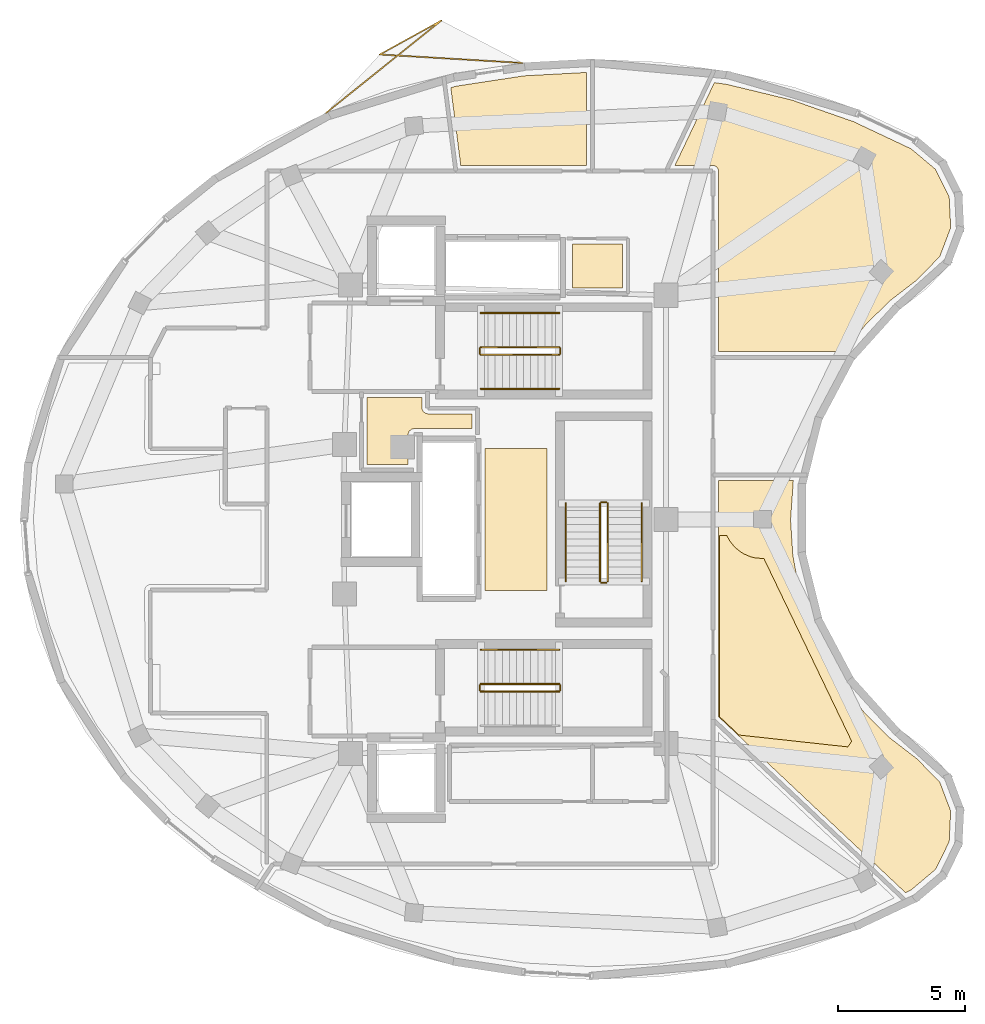
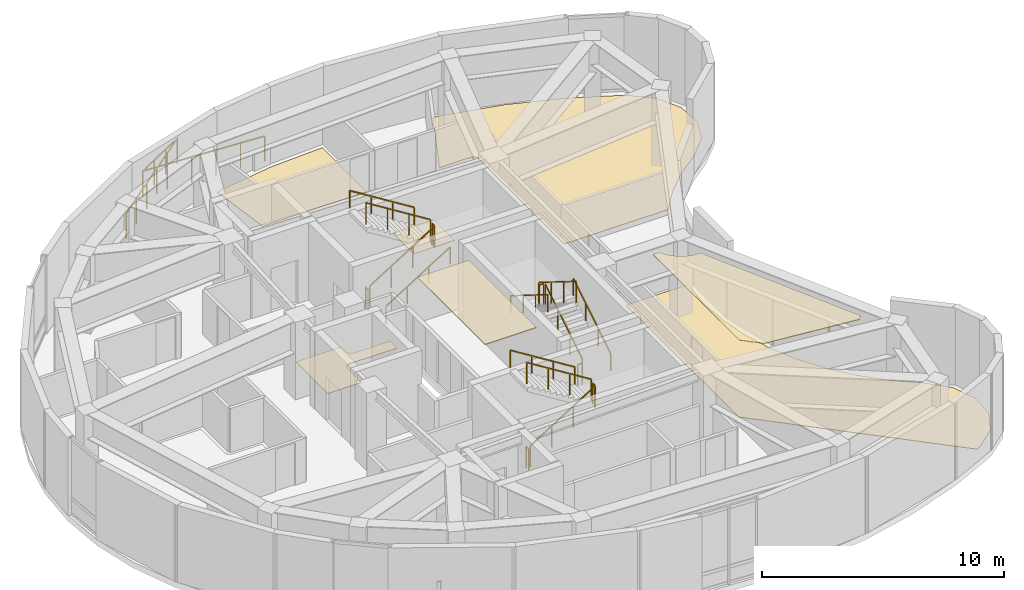
# One storey, part 8 of 8: 18 railings, 7 coverings.
"""IFC4 building model written with IfcOpenShell, lengths in metres."""

import ifcopenshell
import ifcopenshell.guid

model = None  # the IFC model being written
_history = None  # IfcOwnerHistory: only IFC2X3 demands one
_inside = {}  # id of a spatial element -> (the spatial element, [elements in it])
_under = {}  # id of a project, library or spatial element -> (it, [spatial elements below it])
_declared = {}  # id of a project -> (the project, [libraries it declares])
_typed = {}  # id of a type object -> (the type object, [elements of that type])
_made_of = {}  # id of a material, layer set ... -> (it, [elements and type objects made of it])


def new_model(schema):
    """Start an empty IFC model of exactly this schema.

    Asked for "IFC4X3", IfcOpenShell would pick the latest addendum, in which some entities
    have other attributes; the version numbers below select the first issue.
    IFC2X3 requires an IfcOwnerHistory on every rooted entity: one is made here for all.
    """
    global model, _history
    if schema == "IFC4X3":
        model = ifcopenshell.file(schema_version=(4, 3, 0, 0))
    else:
        model = ifcopenshell.file(schema=schema)
    _inside.clear()
    _under.clear()
    _declared.clear()
    _typed.clear()
    _made_of.clear()
    _history = None
    if model.schema == "IFC2X3":
        org = make("IfcOrganization", Name="unknown")
        user = make(
            "IfcPersonAndOrganization",
            ThePerson=make("IfcPerson", FamilyName="unknown"),
            TheOrganization=org,
        )
        app = make(
            "IfcApplication",
            ApplicationDeveloper=org,
            Version="unknown",
            ApplicationFullName="unknown",
            ApplicationIdentifier="unknown",
        )
        _history = make(
            "IfcOwnerHistory",
            OwningUser=user,
            OwningApplication=app,
            ChangeAction="ADDED",
            CreationDate=0,
        )
    return model


def make(cls, **values):
    """One entity of the class cls with the attributes given. An attribute that is None is left unset."""
    return model.create_entity(
        cls, **{name: value for name, value in values.items() if value is not None}
    )


def rooted(cls, **values):
    """An entity with a GlobalId (a new one), such as an element, a storey or a relation."""
    return make(cls, GlobalId=ifcopenshell.guid.new(), OwnerHistory=_history, **values)


def si_unit(unit_type, name, prefix=None):
    """IfcSIUnit, for example si_unit("LENGTHUNIT", "METRE", prefix="MILLI")."""
    return make("IfcSIUnit", UnitType=unit_type, Prefix=prefix, Name=name)


def assignment(units):
    """IfcUnitAssignment: the units of a project."""
    return None if units is None else make("IfcUnitAssignment", Units=units)


def point(xyz):
    """IfcCartesianPoint."""
    return None if xyz is None else make("IfcCartesianPoint", Coordinates=xyz)


def direction(xyz):
    """IfcDirection."""
    return None if xyz is None else make("IfcDirection", DirectionRatios=xyz)


def frame(location, z_axis=None, x_axis=None):
    """IfcAxis2Placement3D, a coordinate frame: its origin and axes. An axis left out is left unset."""
    return make(
        "IfcAxis2Placement3D",
        Location=point(location),
        Axis=direction(z_axis),
        RefDirection=direction(x_axis),
    )


def frame_2d(location, x_axis=None):
    """IfcAxis2Placement2D, a coordinate frame in the plane: its origin and x axis."""
    return make(
        "IfcAxis2Placement2D", Location=point(location), RefDirection=direction(x_axis)
    )


def origin():
    """The frame at (0, 0, 0) with its axes left unset."""
    return frame((0.0, 0.0, 0.0))


def origin_2d():
    """The frame at (0, 0) in the plane with its x axis left unset."""
    return frame_2d((0.0, 0.0))


def place(relative_to, where):
    """IfcLocalPlacement: puts the frame where relative to a parent placement (None: the world)."""
    return make(
        "IfcLocalPlacement", PlacementRelTo=relative_to, RelativePlacement=where
    )


def context(
    kind, dimensions, precision=None, world=None, true_north=None, identifier=None
):
    """IfcGeometricRepresentationContext, for example the 3D "Model" context."""
    return make(
        "IfcGeometricRepresentationContext",
        ContextIdentifier=identifier,
        ContextType=kind,
        CoordinateSpaceDimension=dimensions,
        Precision=precision,
        WorldCoordinateSystem=world,
        TrueNorth=true_north,
    )


def subcontext(parent, identifier, kind, view, scale=None):
    """IfcGeometricRepresentationSubContext, for example "Body" below "Model"."""
    return make(
        "IfcGeometricRepresentationSubContext",
        ContextIdentifier=identifier,
        ContextType=kind,
        ParentContext=parent,
        TargetScale=scale,
        TargetView=view,
    )


def project(units=None, contexts=None):
    """IfcProject with its units and contexts."""
    return rooted(
        "IfcProject",
        Name="project",
        RepresentationContexts=contexts,
        UnitsInContext=assignment(units),
    )


def spatial(cls, under=None, at=None, **own):
    """A site, building, storey or space (cls), placed at a placement, below another one or the project."""
    s = rooted(cls, ObjectPlacement=at, **own)
    if under is not None:
        _under.setdefault(under.id(), (under, []))[1].append(s)
    return s


def polyline(points):
    """IfcPolyline through the points."""
    return make("IfcPolyline", Points=[point(p) for p in points])


def profile(cls, at=None, kind="AREA", **sizes):
    """A parametric profile (cls). Its sizes go by their IFC names, for example OverallWidth=200.0."""
    return make(cls, ProfileType=kind, Position=at, **sizes)


def rectangle(**sizes):
    """IfcRectangleProfileDef."""
    return profile("IfcRectangleProfileDef", **sizes)


def outline(outer, holes=None, kind="AREA"):
    """IfcArbitraryClosedProfileDef: a profile drawn as a closed curve; with holes, ...WithVoids."""
    if holes is None:
        return make("IfcArbitraryClosedProfileDef", ProfileType=kind, OuterCurve=outer)
    return make(
        "IfcArbitraryProfileDefWithVoids",
        ProfileType=kind,
        OuterCurve=outer,
        InnerCurves=holes,
    )


def extrude(swept, where, along, depth):
    """IfcExtrudedAreaSolid: the profile swept, set in the frame where, extruded along a direction by depth."""
    return make(
        "IfcExtrudedAreaSolid",
        SweptArea=swept,
        Position=where,
        ExtrudedDirection=direction(along),
        Depth=depth,
    )


def shape(context_of_items, identifier, shape_type, items):
    """IfcShapeRepresentation: the items that make up one representation, for example the "Body"."""
    return make(
        "IfcShapeRepresentation",
        ContextOfItems=context_of_items,
        RepresentationIdentifier=identifier,
        RepresentationType=shape_type,
        Items=items,
    )


def material(Name=None, Category=None):
    """IfcMaterial."""
    return make("IfcMaterial", Name=Name, Category=Category)


def layer(
    of_material, thickness, ventilated=None, Name=None, Category=None, Priority=None
):
    """IfcMaterialLayer: one layer of a wall or slab, of a material (None: an air gap)."""
    return make(
        "IfcMaterialLayer",
        Material=of_material,
        LayerThickness=thickness,
        IsVentilated=ventilated,
        Name=Name,
        Category=Category,
        Priority=Priority,
    )


def layer_set(layers, Name=None):
    """IfcMaterialLayerSet."""
    return make("IfcMaterialLayerSet", MaterialLayers=layers, LayerSetName=Name)


def made_of(thing, what):
    """Note that an element or type object is made of a material, layer set ...; save() writes the relation."""
    if what is not None:
        _made_of.setdefault(what.id(), (what, []))[1].append(thing)
    return thing


def type_object(cls, material=None, **own):
    """A type object (cls), such as IfcWallType, which elements share."""
    return made_of(rooted(cls, **own), material)


def element(
    cls,
    number,
    at=None,
    inside=None,
    cuts=None,
    type_object=None,
    material=None,
    context=None,
    identifier="Body",
    shape_type=None,
    held_by="IfcProductDefinitionShape",
    body=None,
    shapes=None,
    **own,
):
    """One element of the class cls, such as IfcWall. Its Tag is "e" and its number.

    at: its placement. inside: the storey or other place that contains it. cuts: it is an
    opening in that element (IfcRelVoidsElement). A single representation is given by context,
    identifier, shape_type and body (its items); several are given by shapes. held_by: the class
    of the entity that holds the representations. save() writes the other relations.
    """
    e = rooted(cls, Tag="e%d" % number, ObjectPlacement=at, **own)
    if body is not None:
        shapes = [shape(context, identifier, shape_type, body)]
    if shapes is not None:
        e.Representation = make(held_by, Representations=shapes)
    if inside is not None:
        _inside.setdefault(inside.id(), (inside, []))[1].append(e)
    if cuts is not None:
        rooted(
            "IfcRelVoidsElement", RelatingBuildingElement=cuts, RelatedOpeningElement=e
        )
    if type_object is not None:
        _typed.setdefault(type_object.id(), (type_object, []))[1].append(e)
    return made_of(e, material)


def aggregate(whole, parts):
    """IfcRelAggregates: a whole, such as a stair, and the parts it consists of."""
    return rooted("IfcRelAggregates", RelatingObject=whole, RelatedObjects=parts)


def save(model, path):
    """Write the relations noted so far, then the file.

    IfcRelAggregates (storeys below a building ...), IfcRelContainedInSpatialStructure (elements
    in a storey), IfcRelDefinesByType, IfcRelAssociatesMaterial and IfcRelDeclares: one each for
    every whole, place, type object, material and project.
    """
    for whole, parts in _under.values():
        aggregate(whole, parts)
    for where, things in _inside.values():
        rooted(
            "IfcRelContainedInSpatialStructure",
            RelatedElements=things,
            RelatingStructure=where,
        )
    for kind, things in _typed.values():
        rooted("IfcRelDefinesByType", RelatedObjects=things, RelatingType=kind)
    for what, things in _made_of.values():
        rooted("IfcRelAssociatesMaterial", RelatedObjects=things, RelatingMaterial=what)
    for by, libraries in _declared.values():
        rooted("IfcRelDeclares", RelatingContext=by, RelatedDefinitions=libraries)
    model.write(path)


model = new_model("IFC4")

# Units and contexts
model_context = context("Model", 3, precision=1e-05, world=origin(), true_north=direction((0.0, 1.0)))
body_context = subcontext(model_context, "Body", "Model", "MODEL_VIEW")
ifc_project = project(units=[si_unit("LENGTHUNIT", "METRE"), si_unit("AREAUNIT", "SQUARE_METRE"), si_unit("VOLUMEUNIT", "CUBIC_METRE"), si_unit("PLANEANGLEUNIT", "RADIAN"), si_unit("MASSUNIT", "GRAM", prefix="KILO")], contexts=[model_context])

# Site, building, storey
site_placement = place(None, origin())
site = spatial("IfcSite", under=ifc_project, at=site_placement, CompositionType="ELEMENT")
building_placement = place(site_placement, origin())
building = spatial("IfcBuilding", under=site, at=building_placement, Name="Korentha Bioscience Tower", CompositionType="ELEMENT")
storey_placement = place(building_placement, frame((0.0, 0.0, 314.39990234375)))
storey = spatial("IfcBuildingStorey", under=building, at=storey_placement, Name="L72", CompositionType="ELEMENT", Elevation=314.39990234375)

# Covering
ifc_material_1 = material(Name="Vitrified Porcelain Tile", Category="ceramic")
ifc_layer_1 = layer(ifc_material_1, 0.014892578125, Name="Vitrified Porcelain Tile")
ifc_layer_set_1 = layer_set([ifc_layer_1], Name="Vitrified Porcelain Tile (FL-CER)")
covering_type_1 = type_object("IfcCoveringType", Name="Anti-Slip Ceramic Wet-Room Tile Flooring 15", PredefinedType="FLOORING", material=ifc_layer_set_1)
covering_1_placement = place(storey_placement, origin())
element("IfcCovering", 1, at=covering_1_placement, inside=storey, type_object=covering_type_1, Name="L72 Accessible Staff WC Floor Finish", PredefinedType="FLOORING", context=body_context, shape_type="SweptSolid", body=[
    extrude(outline(polyline([(33.8701171875, 36.1298828125), (33.8701171875, 37.8701171875), (35.830078125, 37.8701171875), (35.830078125, 36.1298828125), (33.8701171875, 36.1298828125)])), origin(), (0.0, 0.0, 1.0), 0.01513671875),
])

# Railings
ifc_material_2 = material(Name="Stainless Steel 304", Category="steel")
railing_type_1 = type_object("IfcRailingType", Name="Brushed Stainless Stair Handrail 900", PredefinedType="HANDRAIL", material=ifc_material_2)
railing_1_placement = place(storey_placement, frame((30.25, 32.14990234375, 0.175048828125)))
element("IfcRailing", 2, at=railing_1_placement, inside=storey, type_object=railing_type_1, Name="L72 ST-1 stair handrail 1", PredefinedType="HANDRAIL", context=body_context, shape_type="SweptSolid", body=[
    extrude(rectangle(XDim=0.048095703125, YDim=0.048095703125, at=origin_2d()), frame((0.0, 0.0, 0.8759765625), z_axis=(0.847998304005, 0.0, 0.529998940003), x_axis=(0.0, 1.0, 0.0)), (0.0, 0.0, 1.0), 3.632080078125),
    extrude(rectangle(XDim=0.0419921875, YDim=0.0419921875, at=origin_2d()), origin(), (0.0, 0.0, 1.0), 0.851806640625),
    extrude(rectangle(XDim=0.0419921875, YDim=0.0419921875, at=origin_2d()), frame((1.026611328125, 0.0, 0.6416015625)), (0.0, 0.0, 1.0), 0.851806640625),
    extrude(rectangle(XDim=0.0419921875, YDim=0.0419921875, at=origin_2d()), frame((2.053466796875, 0.0, 1.283447265625)), (0.0, 0.0, 1.0), 0.851806640625),
    extrude(rectangle(XDim=0.0419921875, YDim=0.0419921875, at=origin_2d()), frame((3.080078125, 0.0, 1.925048828125)), (0.0, 0.0, 1.0), 0.851806640625),
])
for number, where, name in (
    (3, (33.330078125, 35.14990234375, 2.275146484375), "L72 ST-1 stair handrail 2"),
    (4, (33.330078125, 21.85009765625, 2.275146484375), "L72 ST-2 stair handrail 2"),
):
    element("IfcRailing", number, at=place(storey_placement, frame(where)), inside=storey, type_object=railing_type_1, Name=name, PredefinedType="HANDRAIL", context=body_context, shape_type="SweptSolid", body=[
        extrude(rectangle(XDim=0.048095703125, YDim=0.048095703125, at=origin_2d()), frame((0.0, 0.0, 0.8759765625), z_axis=(-0.847998304005, 0.0, 0.529998940003), x_axis=(0.0, -1.0, 0.0)), (0.0, 0.0, 1.0), 3.632080078125),
        extrude(rectangle(XDim=0.0419921875, YDim=0.0419921875, at=origin_2d()), origin(), (0.0, 0.0, 1.0), 0.851806640625),
        extrude(rectangle(XDim=0.0419921875, YDim=0.0419921875, at=origin_2d()), frame((-1.026611328125, 0.0, 0.6416015625)), (0.0, 0.0, 1.0), 0.851806640625),
        extrude(rectangle(XDim=0.0419921875, YDim=0.0419921875, at=origin_2d()), frame((-2.053466796875, 0.0, 1.283447265625)), (0.0, 0.0, 1.0), 0.851806640625),
        extrude(rectangle(XDim=0.0419921875, YDim=0.0419921875, at=origin_2d()), frame((-3.080078125, 0.0, 1.925048828125)), (0.0, 0.0, 1.0), 0.851806640625),
    ])
railing_2_placement = place(storey_placement, frame((36.60009765625, 24.550048828125, 0.175048828125)))
element("IfcRailing", 5, at=railing_2_placement, inside=storey, type_object=railing_type_1, Name="L72 ST-3 stair handrail 1", PredefinedType="HANDRAIL", context=body_context, shape_type="SweptSolid", body=[
    extrude(rectangle(XDim=0.048095703125, YDim=0.048095703125, at=origin_2d()), frame((0.0, 0.0, 0.8759765625), z_axis=(0.0, 0.847979421464, 0.530029150871), x_axis=(-1.0, 0.0, 0.0)), (0.0, 0.0, 1.0), 3.632080078125),
    extrude(rectangle(XDim=0.0419921875, YDim=0.0419921875, at=origin_2d()), origin(), (0.0, 0.0, 1.0), 0.851806640625),
    extrude(rectangle(XDim=0.0419921875, YDim=0.0419921875, at=origin_2d()), frame((0.0, 1.026611328125, 0.6416015625)), (0.0, 0.0, 1.0), 0.851806640625),
    extrude(rectangle(XDim=0.0419921875, YDim=0.0419921875, at=origin_2d()), frame((0.0, 2.05322265625, 1.283447265625)), (0.0, 0.0, 1.0), 0.851806640625),
    extrude(rectangle(XDim=0.0419921875, YDim=0.0419921875, at=origin_2d()), frame((0.0, 3.079833984375, 1.925048828125)), (0.0, 0.0, 1.0), 0.851806640625),
])
railing_3_placement = place(storey_placement, frame((33.60009765625, 27.6298828125, 2.275146484375)))
element("IfcRailing", 6, at=railing_3_placement, inside=storey, type_object=railing_type_1, Name="L72 ST-3 stair handrail 2", PredefinedType="HANDRAIL", context=body_context, shape_type="SweptSolid", body=[
    extrude(rectangle(XDim=0.048095703125, YDim=0.048095703125, at=origin_2d()), frame((0.0, 0.0, 0.8759765625), z_axis=(0.0, -0.847979421464, 0.530029150871), x_axis=(1.0, 0.0, 0.0)), (0.0, 0.0, 1.0), 3.632080078125),
    extrude(rectangle(XDim=0.0419921875, YDim=0.0419921875, at=origin_2d()), origin(), (0.0, 0.0, 1.0), 0.851806640625),
    extrude(rectangle(XDim=0.0419921875, YDim=0.0419921875, at=origin_2d()), frame((0.0, -1.026611328125, 0.6416015625)), (0.0, 0.0, 1.0), 0.851806640625),
    extrude(rectangle(XDim=0.0419921875, YDim=0.0419921875, at=origin_2d()), frame((0.0, -2.05322265625, 1.283447265625)), (0.0, 0.0, 1.0), 0.851806640625),
    extrude(rectangle(XDim=0.0419921875, YDim=0.0419921875, at=origin_2d()), frame((0.0, -3.079833984375, 1.925048828125)), (0.0, 0.0, 1.0), 0.851806640625),
])

# Coverings
ifc_material_3 = material(Name="Honed Travertine Limestone", Category="masonry")
ifc_layer_2 = layer(ifc_material_3, 0.02490234375, Name="Honed Travertine Limestone")
ifc_layer_set_2 = layer_set([ifc_layer_2], Name="Honed Travertine Limestone (FL-STN)")
covering_type_2 = type_object("IfcCoveringType", Name="Honed Travertine Lobby Stone Flooring 25", PredefinedType="FLOORING", material=ifc_layer_set_2)
covering_2_placement = place(storey_placement, origin())
element("IfcCovering", 7, at=covering_2_placement, inside=storey, type_object=covering_type_2, Name="L72 Sky Horizon Tasting Cafe & Bistro 05 Floor Finish", PredefinedType="FLOORING", context=body_context, shape_type="SweptSolid", body=[
    extrude(outline(polyline([(42.58154296875, 28.528076171875), (42.473388671875, 26.982421875), (42.56298828125, 25.572509765625), (42.809326171875, 24.2451171875), (43.2236328125, 22.923095703125), (43.801513671875, 21.6455078125), (44.535400390625, 20.442138671875), (45.427978515625, 19.320068359375), (46.401123046875, 18.364013671875), (47.468994140625, 17.541259765625), (48.3662109375, 16.619873046875), (48.796142578125, 15.481689453125), (48.736083984375, 14.266845703125), (48.19580078125, 13.177001953125), (47.23486328125, 12.36767578125), (47.009033203125, 12.260986328125), (39.63671875, 19.197265625), (39.630126953125, 28.528076171875), (42.58154296875, 28.528076171875)])), origin(), (0.0, 0.0, 1.0), 0.025146484375),
])
covering_3_placement = place(storey_placement, origin())
element("IfcCovering", 8, at=covering_3_placement, inside=storey, type_object=covering_type_2, Name="L72 VIP Horizon Reception Suite 07 Floor Finish", PredefinedType="FLOORING", context=body_context, shape_type="SweptSolid", body=[
    extrude(outline(polyline([(39.9462890625, 44.180419921875), (42.5126953125, 43.56201171875), (44.9658203125, 42.702880859375), (47.234619140625, 41.63232421875), (48.19580078125, 40.8232421875), (48.736083984375, 39.7333984375), (48.79638671875, 38.518310546875), (48.3662109375, 37.38037109375), (47.469482421875, 36.458984375), (46.40087890625, 35.635986328125), (45.4375, 34.68994140625), (44.587890625, 33.6279296875), (39.6298828125, 33.6279296875), (39.623291015625, 40.805419921875), (39.55419921875, 40.920654296875), (39.433349609375, 40.9775390625), (37.908447265625, 40.97998046875), (39.46337890625, 44.247802734375), (39.9462890625, 44.180419921875)])), origin(), (0.0, 0.0, 1.0), 0.025146484375),
])
covering_4_placement = place(storey_placement, origin())
element("IfcCovering", 9, at=covering_4_placement, inside=storey, type_object=covering_type_2, Name="L72 Observatory Souvenir & Audio-Guide Desk 09 Floor Finish", PredefinedType="FLOORING", context=body_context, shape_type="SweptSolid", body=[
    extrude(outline(polyline([(34.422119140625, 44.64990234375), (34.422119140625, 40.97998046875), (29.4482421875, 40.97998046875), (29.05615234375, 44.049072265625), (29.3134765625, 44.114501953125), (31.947998046875, 44.515380859375), (34.422119140625, 44.64990234375)])), origin(), (0.0, 0.0, 1.0), 0.025146484375),
])
covering_5_placement = place(storey_placement, origin())
element("IfcCovering", 10, at=covering_5_placement, inside=storey, type_object=covering_type_2, Name="L72 Public Panoramic Observation Deck Gallery 11 Floor Finish", PredefinedType="FLOORING", context=body_context, shape_type="SweptSolid", body=[
    extrude(outline(polyline([(25.75, 31.820068359375), (27.919921875, 31.820068359375), (27.9267578125, 31.344482421875), (27.979248046875, 31.245849609375), (28.072998046875, 31.183349609375), (28.14990234375, 31.169921875), (29.889892578125, 31.169921875), (29.889892578125, 30.580078125), (27.60009765625, 30.580078125), (27.52294921875, 30.566650390625), (27.41552734375, 30.4873046875), (27.372314453125, 30.38330078125), (27.3701171875, 29.169921875), (25.75, 29.169921875), (25.75, 31.820068359375)])), origin(), (0.0, 0.0, 1.0), 0.025146484375),
])
ifc_material_4 = material(Name="Antimicrobial Mineral Fibre Board", Category="gypsum")
ifc_layer_3 = layer(ifc_material_4, 0.034912109375, Name="Antimicrobial Mineral Fibre Board")
ifc_layer_set_3 = layer_set([ifc_layer_3], Name="Antimicrobial Mineral Fibre Board (CL-MF35)")
covering_type_3 = type_object("IfcCoveringType", Name="Mineral-Fibre Cleanroom Suspended Ceiling 35", PredefinedType="CEILING", material=ifc_layer_set_3)
covering_6_placement = place(storey_placement, frame((0.0, 0.0, 3.864990234375)))
element("IfcCovering", 11, at=covering_6_placement, inside=storey, type_object=covering_type_3, Name="L72 Sky Horizon Tasting Cafe & Bistro 05 Acoustic Ceiling", PredefinedType="CEILING", context=body_context, shape_type="SweptSolid", body=[
    extrude(outline(polyline([(39.66162109375, 26.35498046875), (39.958251953125, 26.35498046875), (40.076904296875, 26.138916015625), (40.269775390625, 25.904052734375), (40.504638671875, 25.711181640625), (40.635009765625, 25.633056640625), (40.916015625, 25.5166015625), (41.0634765625, 25.479736328125), (41.4208984375, 25.45263671875), (44.8876953125, 18.233642578125), (44.731689453125, 18.016357421875), (40.438720703125, 18.484130859375), (39.666748046875, 19.210205078125), (39.66162109375, 26.35498046875)])), origin(), (0.0, 0.0, 1.0), 0.03515625),
])

# Railings
ifc_material_5 = material(Name="Laminated Acoustic Safety Glass", Category="glass")
railing_type_2 = type_object("IfcRailingType", Name="Observatory Wind-Baffle Guardrail 1300", PredefinedType="BALUSTRADE", material=ifc_material_5)
railing_4_placement = place(storey_placement, frame((31.895751953125, 45.0234375, 0.0)))
element("IfcRailing", 12, at=railing_4_placement, inside=storey, type_object=railing_type_2, Name="L72 Balcony Guardrail 01", PredefinedType="BALUSTRADE", context=body_context, shape_type="SweptSolid", body=[
    extrude(rectangle(XDim=0.048095703125, YDim=0.048095703125, at=origin_2d()), frame((0.0, 0.0, 1.27587890625), z_axis=(-0.998251669336, 0.05910672269, 0.0), x_axis=(-0.05910672269, -0.998251669336, 0.0)), (0.0, 0.0, 1.0), 5.654541015625),
    extrude(rectangle(XDim=0.048095703125, YDim=0.048095703125, at=origin_2d()), frame((-5.644775390625, 0.334228515625, 1.27587890625), z_axis=(0.87559307773, 0.483049440773, 0.0), x_axis=(-0.483049440773, 0.87559307773, 0.0)), (0.0, 0.0, 1.0), 2.775634765625),
    extrude(rectangle(XDim=0.048095703125, YDim=0.048095703125, at=origin_2d()), frame((-3.21435546875, 1.675048828125, 1.27587890625), z_axis=(-0.78026089132, -0.625454188152, 0.0), x_axis=(0.625454188152, -0.78026089132, 0.0)), (0.0, 0.0, 1.0), 5.841552734375),
    extrude(rectangle(XDim=0.0419921875, YDim=0.0419921875, at=origin_2d()), origin(), (0.0, 0.0, 1.0), 1.251953125),
    extrude(rectangle(XDim=0.0419921875, YDim=0.0419921875, at=origin_2d()), frame((-1.12890625, 0.06689453125, 0.0)), (0.0, 0.0, 1.0), 1.251953125),
    extrude(rectangle(XDim=0.0419921875, YDim=0.0419921875, at=origin_2d()), frame((-2.2578125, 0.1337890625, 0.0)), (0.0, 0.0, 1.0), 1.251953125),
    extrude(rectangle(XDim=0.0419921875, YDim=0.0419921875, at=origin_2d()), frame((-3.386962890625, 0.200439453125, 0.0)), (0.0, 0.0, 1.0), 1.251953125),
    extrude(rectangle(XDim=0.0419921875, YDim=0.0419921875, at=origin_2d()), frame((-4.515869140625, 0.267333984375, 0.0)), (0.0, 0.0, 1.0), 1.251953125),
    extrude(rectangle(XDim=0.0419921875, YDim=0.0419921875, at=origin_2d()), frame((-5.644775390625, 0.334228515625, 0.0)), (0.0, 0.0, 1.0), 1.251953125),
    extrude(rectangle(XDim=0.0419921875, YDim=0.0419921875, at=origin_2d()), frame((-4.834716796875, 0.78125, 0.0)), (0.0, 0.0, 1.0), 1.251953125),
    extrude(rectangle(XDim=0.0419921875, YDim=0.0419921875, at=origin_2d()), frame((-4.0244140625, 1.22802734375, 0.0)), (0.0, 0.0, 1.0), 1.251953125),
    extrude(rectangle(XDim=0.0419921875, YDim=0.0419921875, at=origin_2d()), frame((-3.21435546875, 1.675048828125, 0.0)), (0.0, 0.0, 1.0), 1.251953125),
    extrude(rectangle(XDim=0.0419921875, YDim=0.0419921875, at=origin_2d()), frame((-4.1259765625, 0.9443359375, 0.0)), (0.0, 0.0, 1.0), 1.251953125),
    extrude(rectangle(XDim=0.0419921875, YDim=0.0419921875, at=origin_2d()), frame((-5.03759765625, 0.213623046875, 0.0)), (0.0, 0.0, 1.0), 1.251953125),
    extrude(rectangle(XDim=0.0419921875, YDim=0.0419921875, at=origin_2d()), frame((-5.948974609375, -0.51708984375, 0.0)), (0.0, 0.0, 1.0), 1.251953125),
    extrude(rectangle(XDim=0.0419921875, YDim=0.0419921875, at=origin_2d()), frame((-6.860595703125, -1.247802734375, 0.0)), (0.0, 0.0, 1.0), 1.251953125),
    extrude(rectangle(XDim=0.0419921875, YDim=0.0419921875, at=origin_2d()), frame((-7.772216796875, -1.978515625, 0.0)), (0.0, 0.0, 1.0), 1.251953125),
])
ifc_material_6 = material(Name="Painted Steel S275", Category="steel")
railing_type_3 = type_object("IfcRailingType", Name="Painted Steel Stair Well Guardrail 1100", PredefinedType="GUARDRAIL", material=ifc_material_6)
railing_5_placement = place(storey_placement, frame((30.25, 33.5, 0.175048828125)))
element("IfcRailing", 13, at=railing_5_placement, inside=storey, type_object=railing_type_3, Name="L72 ST-1 stair guard 1", PredefinedType="GUARDRAIL", context=body_context, shape_type="SweptSolid", body=[
    extrude(rectangle(XDim=0.048095703125, YDim=0.048095703125, at=origin_2d()), frame((0.0, 0.0, 1.076171875), z_axis=(0.847998304005, 0.0, 0.529998940003), x_axis=(0.0, 1.0, 0.0)), (0.0, 0.0, 1.0), 3.632080078125),
    extrude(rectangle(XDim=0.0419921875, YDim=0.0419921875, at=origin_2d()), origin(), (0.0, 0.0, 1.0), 1.052001953125),
    extrude(rectangle(XDim=0.0419921875, YDim=0.0419921875, at=origin_2d()), frame((1.026611328125, 0.0, 0.6416015625)), (0.0, 0.0, 1.0), 1.052001953125),
    extrude(rectangle(XDim=0.0419921875, YDim=0.0419921875, at=origin_2d()), frame((2.053466796875, 0.0, 1.283447265625)), (0.0, 0.0, 1.0), 1.052001953125),
    extrude(rectangle(XDim=0.0419921875, YDim=0.0419921875, at=origin_2d()), frame((3.080078125, 0.0, 1.925048828125)), (0.0, 0.0, 1.0), 1.052001953125),
])
railing_6_placement = place(storey_placement, frame((33.3798828125, 33.550048828125, 2.10009765625)))
element("IfcRailing", 14, at=railing_6_placement, inside=storey, type_object=railing_type_3, Name="L72 ST-1 stair guard 2", PredefinedType="GUARDRAIL", context=body_context, shape_type="SweptSolid", body=[
    extrude(rectangle(XDim=0.048095703125, YDim=0.048095703125, at=origin_2d()), frame((0.0, 0.0, 1.076171875), z_axis=(0.0, 1.0, 0.0), x_axis=(-1.0, 0.0, 0.0)), (0.0, 0.0, 1.0), 0.199951171875),
    extrude(rectangle(XDim=0.0419921875, YDim=0.0419921875, at=origin_2d()), origin(), (0.0, 0.0, 1.0), 1.052001953125),
    extrude(rectangle(XDim=0.0419921875, YDim=0.0419921875, at=origin_2d()), frame((0.0, 0.199951171875, 0.0)), (0.0, 0.0, 1.0), 1.052001953125),
])
railing_7_placement = place(storey_placement, frame((33.330078125, 33.800048828125, 2.275146484375)))
element("IfcRailing", 15, at=railing_7_placement, inside=storey, type_object=railing_type_3, Name="L72 ST-1 stair guard 3", PredefinedType="GUARDRAIL", context=body_context, shape_type="SweptSolid", body=[
    extrude(rectangle(XDim=0.048095703125, YDim=0.048095703125, at=origin_2d()), frame((0.0, 0.0, 1.076171875), z_axis=(-0.847998304005, 0.0, 0.529998940003), x_axis=(0.0, -1.0, 0.0)), (0.0, 0.0, 1.0), 3.632080078125),
    extrude(rectangle(XDim=0.0419921875, YDim=0.0419921875, at=origin_2d()), origin(), (0.0, 0.0, 1.0), 1.052001953125),
    extrude(rectangle(XDim=0.0419921875, YDim=0.0419921875, at=origin_2d()), frame((-1.026611328125, 0.0, 0.6416015625)), (0.0, 0.0, 1.0), 1.052001953125),
    extrude(rectangle(XDim=0.0419921875, YDim=0.0419921875, at=origin_2d()), frame((-2.053466796875, 0.0, 1.283447265625)), (0.0, 0.0, 1.0), 1.052001953125),
    extrude(rectangle(XDim=0.0419921875, YDim=0.0419921875, at=origin_2d()), frame((-3.080078125, 0.0, 1.925048828125)), (0.0, 0.0, 1.0), 1.052001953125),
])
railing_8_placement = place(storey_placement, frame((30.199951171875, 33.550048828125, 0.0)))
element("IfcRailing", 16, at=railing_8_placement, inside=storey, type_object=railing_type_3, Name="L72 ST-1 stair guard 4", PredefinedType="GUARDRAIL", context=body_context, shape_type="SweptSolid", body=[
    extrude(rectangle(XDim=0.048095703125, YDim=0.048095703125, at=origin_2d()), frame((0.0, 0.0, 1.076171875), z_axis=(0.0, 1.0, 0.0), x_axis=(-1.0, 0.0, 0.0)), (0.0, 0.0, 1.0), 0.199951171875),
    extrude(rectangle(XDim=0.0419921875, YDim=0.0419921875, at=origin_2d()), origin(), (0.0, 0.0, 1.0), 1.052001953125),
    extrude(rectangle(XDim=0.0419921875, YDim=0.0419921875, at=origin_2d()), frame((0.0, 0.199951171875, 0.0)), (0.0, 0.0, 1.0), 1.052001953125),
])
railing_9_placement = place(storey_placement, frame((30.25, 20.199951171875, 0.175048828125)))
element("IfcRailing", 17, at=railing_9_placement, inside=storey, type_object=railing_type_3, Name="L72 ST-2 stair guard 1", PredefinedType="GUARDRAIL", context=body_context, shape_type="SweptSolid", body=[
    extrude(rectangle(XDim=0.048095703125, YDim=0.048095703125, at=origin_2d()), frame((0.0, 0.0, 1.076171875), z_axis=(0.847998304005, 0.0, 0.529998940003), x_axis=(0.0, 1.0, 0.0)), (0.0, 0.0, 1.0), 3.632080078125),
    extrude(rectangle(XDim=0.0419921875, YDim=0.0419921875, at=origin_2d()), origin(), (0.0, 0.0, 1.0), 1.052001953125),
    extrude(rectangle(XDim=0.0419921875, YDim=0.0419921875, at=origin_2d()), frame((1.026611328125, 0.0, 0.6416015625)), (0.0, 0.0, 1.0), 1.052001953125),
    extrude(rectangle(XDim=0.0419921875, YDim=0.0419921875, at=origin_2d()), frame((2.053466796875, 0.0, 1.283447265625)), (0.0, 0.0, 1.0), 1.052001953125),
    extrude(rectangle(XDim=0.0419921875, YDim=0.0419921875, at=origin_2d()), frame((3.080078125, 0.0, 1.925048828125)), (0.0, 0.0, 1.0), 1.052001953125),
])
railing_10_placement = place(storey_placement, frame((33.3798828125, 20.25, 2.10009765625)))
element("IfcRailing", 18, at=railing_10_placement, inside=storey, type_object=railing_type_3, Name="L72 ST-2 stair guard 2", PredefinedType="GUARDRAIL", context=body_context, shape_type="SweptSolid", body=[
    extrude(rectangle(XDim=0.048095703125, YDim=0.048095703125, at=origin_2d()), frame((0.0, 0.0, 1.076171875), z_axis=(0.0, 1.0, 0.0), x_axis=(-1.0, 0.0, 0.0)), (0.0, 0.0, 1.0), 0.199951171875),
    extrude(rectangle(XDim=0.0419921875, YDim=0.0419921875, at=origin_2d()), origin(), (0.0, 0.0, 1.0), 1.052001953125),
    extrude(rectangle(XDim=0.0419921875, YDim=0.0419921875, at=origin_2d()), frame((0.0, 0.199951171875, 0.0)), (0.0, 0.0, 1.0), 1.052001953125),
])
railing_11_placement = place(storey_placement, frame((33.330078125, 20.5, 2.275146484375)))
element("IfcRailing", 19, at=railing_11_placement, inside=storey, type_object=railing_type_3, Name="L72 ST-2 stair guard 3", PredefinedType="GUARDRAIL", context=body_context, shape_type="SweptSolid", body=[
    extrude(rectangle(XDim=0.048095703125, YDim=0.048095703125, at=origin_2d()), frame((0.0, 0.0, 1.076171875), z_axis=(-0.847998304005, 0.0, 0.529998940003), x_axis=(0.0, -1.0, 0.0)), (0.0, 0.0, 1.0), 3.632080078125),
    extrude(rectangle(XDim=0.0419921875, YDim=0.0419921875, at=origin_2d()), origin(), (0.0, 0.0, 1.0), 1.052001953125),
    extrude(rectangle(XDim=0.0419921875, YDim=0.0419921875, at=origin_2d()), frame((-1.026611328125, 0.0, 0.6416015625)), (0.0, 0.0, 1.0), 1.052001953125),
    extrude(rectangle(XDim=0.0419921875, YDim=0.0419921875, at=origin_2d()), frame((-2.053466796875, 0.0, 1.283447265625)), (0.0, 0.0, 1.0), 1.052001953125),
    extrude(rectangle(XDim=0.0419921875, YDim=0.0419921875, at=origin_2d()), frame((-3.080078125, 0.0, 1.925048828125)), (0.0, 0.0, 1.0), 1.052001953125),
])
railing_12_placement = place(storey_placement, frame((30.199951171875, 20.25, 0.0)))
element("IfcRailing", 20, at=railing_12_placement, inside=storey, type_object=railing_type_3, Name="L72 ST-2 stair guard 4", PredefinedType="GUARDRAIL", context=body_context, shape_type="SweptSolid", body=[
    extrude(rectangle(XDim=0.048095703125, YDim=0.048095703125, at=origin_2d()), frame((0.0, 0.0, 1.076171875), z_axis=(0.0, 1.0, 0.0), x_axis=(-1.0, 0.0, 0.0)), (0.0, 0.0, 1.0), 0.199951171875),
    extrude(rectangle(XDim=0.0419921875, YDim=0.0419921875, at=origin_2d()), origin(), (0.0, 0.0, 1.0), 1.052001953125),
    extrude(rectangle(XDim=0.0419921875, YDim=0.0419921875, at=origin_2d()), frame((0.0, 0.199951171875, 0.0)), (0.0, 0.0, 1.0), 1.052001953125),
])
railing_13_placement = place(storey_placement, frame((35.25, 24.550048828125, 0.175048828125)))
element("IfcRailing", 21, at=railing_13_placement, inside=storey, type_object=railing_type_3, Name="L72 ST-3 stair guard 1", PredefinedType="GUARDRAIL", context=body_context, shape_type="SweptSolid", body=[
    extrude(rectangle(XDim=0.048095703125, YDim=0.048095703125, at=origin_2d()), frame((0.0, 0.0, 1.076171875), z_axis=(0.0, 0.847979421464, 0.530029150871), x_axis=(-1.0, 0.0, 0.0)), (0.0, 0.0, 1.0), 3.632080078125),
    extrude(rectangle(XDim=0.0419921875, YDim=0.0419921875, at=origin_2d()), origin(), (0.0, 0.0, 1.0), 1.052001953125),
    extrude(rectangle(XDim=0.0419921875, YDim=0.0419921875, at=origin_2d()), frame((0.0, 1.026611328125, 0.6416015625)), (0.0, 0.0, 1.0), 1.052001953125),
    extrude(rectangle(XDim=0.0419921875, YDim=0.0419921875, at=origin_2d()), frame((0.0, 2.05322265625, 1.283447265625)), (0.0, 0.0, 1.0), 1.052001953125),
    extrude(rectangle(XDim=0.0419921875, YDim=0.0419921875, at=origin_2d()), frame((0.0, 3.079833984375, 1.925048828125)), (0.0, 0.0, 1.0), 1.052001953125),
])
railing_14_placement = place(storey_placement, frame((35.199951171875, 27.679931640625, 2.10009765625)))
element("IfcRailing", 22, at=railing_14_placement, inside=storey, type_object=railing_type_3, Name="L72 ST-3 stair guard 2", PredefinedType="GUARDRAIL", context=body_context, shape_type="SweptSolid", body=[
    extrude(rectangle(XDim=0.048095703125, YDim=0.048095703125, at=origin_2d()), frame((0.0, 0.0, 1.076171875), z_axis=(-1.0, 0.0, 0.0), x_axis=(0.0, -1.0, 0.0)), (0.0, 0.0, 1.0), 0.199951171875),
    extrude(rectangle(XDim=0.0419921875, YDim=0.0419921875, at=origin_2d()), origin(), (0.0, 0.0, 1.0), 1.052001953125),
    extrude(rectangle(XDim=0.0419921875, YDim=0.0419921875, at=origin_2d()), frame((-0.199951171875, 0.0, 0.0)), (0.0, 0.0, 1.0), 1.052001953125),
])
railing_15_placement = place(storey_placement, frame((34.949951171875, 27.6298828125, 2.275146484375)))
element("IfcRailing", 23, at=railing_15_placement, inside=storey, type_object=railing_type_3, Name="L72 ST-3 stair guard 3", PredefinedType="GUARDRAIL", context=body_context, shape_type="SweptSolid", body=[
    extrude(rectangle(XDim=0.048095703125, YDim=0.048095703125, at=origin_2d()), frame((0.0, 0.0, 1.076171875), z_axis=(0.0, -0.847979421464, 0.530029150871), x_axis=(1.0, 0.0, 0.0)), (0.0, 0.0, 1.0), 3.632080078125),
    extrude(rectangle(XDim=0.0419921875, YDim=0.0419921875, at=origin_2d()), origin(), (0.0, 0.0, 1.0), 1.052001953125),
    extrude(rectangle(XDim=0.0419921875, YDim=0.0419921875, at=origin_2d()), frame((0.0, -1.026611328125, 0.6416015625)), (0.0, 0.0, 1.0), 1.052001953125),
    extrude(rectangle(XDim=0.0419921875, YDim=0.0419921875, at=origin_2d()), frame((0.0, -2.05322265625, 1.283447265625)), (0.0, 0.0, 1.0), 1.052001953125),
    extrude(rectangle(XDim=0.0419921875, YDim=0.0419921875, at=origin_2d()), frame((0.0, -3.079833984375, 1.925048828125)), (0.0, 0.0, 1.0), 1.052001953125),
])
railing_16_placement = place(storey_placement, frame((35.199951171875, 24.5, 0.0)))
element("IfcRailing", 24, at=railing_16_placement, inside=storey, type_object=railing_type_3, Name="L72 ST-3 stair guard 4", PredefinedType="GUARDRAIL", context=body_context, shape_type="SweptSolid", body=[
    extrude(rectangle(XDim=0.048095703125, YDim=0.048095703125, at=origin_2d()), frame((0.0, 0.0, 1.076171875), z_axis=(-1.0, 0.0, 0.0), x_axis=(0.0, -1.0, 0.0)), (0.0, 0.0, 1.0), 0.199951171875),
    extrude(rectangle(XDim=0.0419921875, YDim=0.0419921875, at=origin_2d()), origin(), (0.0, 0.0, 1.0), 1.052001953125),
    extrude(rectangle(XDim=0.0419921875, YDim=0.0419921875, at=origin_2d()), frame((-0.199951171875, 0.0, 0.0)), (0.0, 0.0, 1.0), 1.052001953125),
])

# Covering
ifc_material_7 = material(Name="Perforated Powder-Coated Aluminium", Category="aluminium")
ifc_layer_4 = layer(ifc_material_7, 0.044921875, Name="Perforated Powder-Coated Aluminium")
ifc_layer_set_4 = layer_set([ifc_layer_4], Name="Perforated Powder-Coated Aluminium (CL-M45)")
covering_type_4 = type_object("IfcCoveringType", Name="Perforated Metal Laboratory Acoustic Ceiling 45", PredefinedType="CEILING", material=ifc_layer_set_4)
covering_7_placement = place(storey_placement, frame((0.0, 0.0, 3.85498046875)))
element("IfcCovering", 25, at=covering_7_placement, inside=storey, type_object=covering_type_4, Name="L72 Acoustic Metal Baffle Ceiling", PredefinedType="CEILING", context=body_context, shape_type="SweptSolid", body=[
    extrude(outline(polyline([(30.39990234375, 24.199951171875), (32.85009765625, 24.199951171875), (32.85009765625, 29.800048828125), (30.39990234375, 29.800048828125), (30.39990234375, 24.199951171875)])), origin(), (0.0, 0.0, 1.0), 0.045166015625),
])

save(model, "model.ifc")
